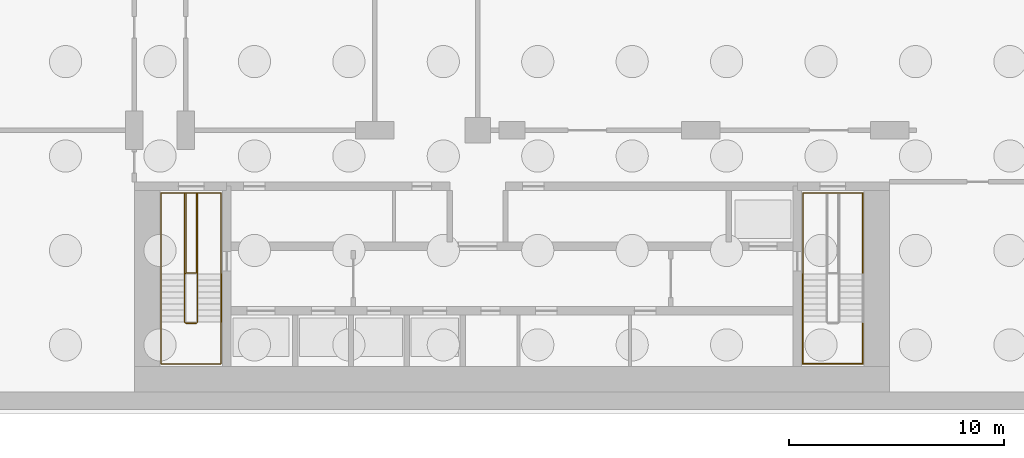
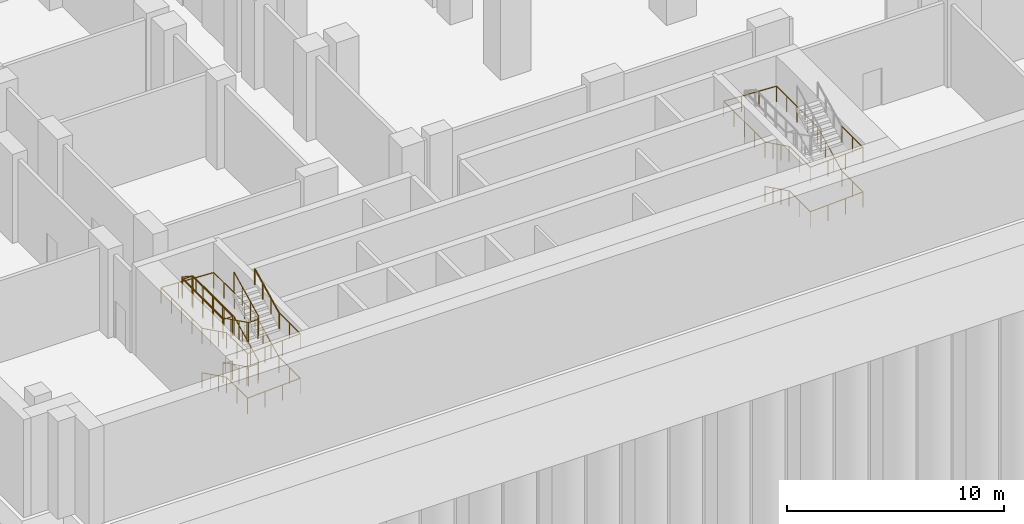
# One storey, part 10 of 14: 6 railings.
"""IFC4 building model written with IfcOpenShell, lengths in metres."""

from ifc_helpers import new_model, si_unit, direction, frame, origin, origin_2d, place, context, subcontext, project, spatial, circle, extrude, material, type_object, element, save


model = new_model("IFC4")

# Units and contexts
model_context = context("Model", 3, precision=1e-05, world=origin(), true_north=direction((0.0, 1.0)))
body_context = subcontext(model_context, "Body", "Model", "MODEL_VIEW")
ifc_project = project(units=[si_unit("LENGTHUNIT", "METRE"), si_unit("AREAUNIT", "SQUARE_METRE"), si_unit("VOLUMEUNIT", "CUBIC_METRE"), si_unit("PLANEANGLEUNIT", "RADIAN"), si_unit("MASSUNIT", "GRAM", prefix="KILO")], contexts=[model_context])

# Site, building, storey
site_placement = place(None, origin())
site = spatial("IfcSite", under=ifc_project, at=site_placement, CompositionType="ELEMENT")
building_placement = place(site_placement, origin())
building = spatial("IfcBuilding", under=site, at=building_placement, Name="Kemantara Hotel Tower", CompositionType="ELEMENT")
storey_placement = place(building_placement, frame((0.0, 0.0, -17.0)))
storey = spatial("IfcBuildingStorey", under=building, at=storey_placement, Name="B3", CompositionType="ELEMENT", Elevation=-17.0)

# Railings
ifc_material = material(Name="Stainless steel balustrade", Category="steel")
railing_type_1 = type_object("IfcRailingType", Name="Stair guard 1100 mm", PredefinedType="GUARDRAIL", material=ifc_material)
railing_1_placement = place(storey_placement, frame((12.75, 5.5, 5.0)))
element("IfcRailing", 1, at=railing_1_placement, inside=storey, type_object=railing_type_1, Name="B3 ST1 stair guard 1", PredefinedType="GUARDRAIL", context=body_context, shape_type="SweptSolid", body=[
    extrude(circle(Radius=0.02392578125, at=origin_2d()), frame((0.0, 0.0, 1.076171875), z_axis=(0.0, -0.895848192791, -0.444360231651), x_axis=(1.0, 0.0, 0.0)), (0.0, 0.0, 1.0), 2.50048828125),
    extrude(circle(Radius=0.02392578125, at=origin_2d()), frame((0.0, -2.239990234375, -0.03515625), z_axis=(-0.321014310373, -0.321014310373, -0.891010451718), x_axis=(0.707106781187, -0.707106781187, 0.0)), (0.0, 0.0, 1.0), 0.156005859375),
    extrude(circle(Radius=0.02392578125, at=origin_2d()), frame((-0.050048828125, -2.2900390625, -0.173828125), z_axis=(-1.0, 0.0, 0.0), x_axis=(0.0, -1.0, 0.0)), (0.0, 0.0, 1.0), 0.5),
    extrude(circle(Radius=0.02392578125, at=origin_2d()), frame((-0.550048828125, -2.2900390625, -0.173828125), z_axis=(-0.707106781187, 0.707106781187, 0.0), x_axis=(-0.707106781187, -0.707106781187, 0.0)), (0.0, 0.0, 1.0), 0.07080078125),
    extrude(circle(Radius=0.02392578125, at=origin_2d()), frame((-0.60009765625, -2.239990234375, -0.173828125), z_axis=(0.0, 0.895848192791, -0.444360231651), x_axis=(-1.0, 0.0, 0.0)), (0.0, 0.0, 1.0), 2.50048828125),
    extrude(circle(Radius=0.02392578125, at=origin_2d()), frame((-0.60009765625, 0.0, -1.28515625), z_axis=(0.0, 1.0, 0.0), x_axis=(-1.0, 0.0, 0.0)), (0.0, 0.0, 1.0), 3.780029296875),
    extrude(circle(Radius=0.02392578125, at=origin_2d()), frame((-0.60009765625, 3.780029296875, -1.28515625), z_axis=(0.969557479204, 0.0, -0.244863828525), x_axis=(0.0, 1.0, 0.0)), (0.0, 0.0, 1.0), 0.5673828125),
    extrude(circle(Radius=0.02392578125, at=origin_2d()), frame((-0.050048828125, 3.780029296875, -1.423828125), z_axis=(0.0, -1.0, 0.0), x_axis=(1.0, 0.0, 0.0)), (0.0, 0.0, 1.0), 3.72998046875),
    extrude(circle(Radius=0.02392578125, at=origin_2d()), frame((-0.050048828125, 0.050048828125, -1.423828125), z_axis=(-1.0, 0.0, 0.0), x_axis=(0.0, -1.0, 0.0)), (0.0, 0.0, 1.0), 0.5),
    extrude(circle(Radius=0.02392578125, at=origin_2d()), frame((-0.550048828125, 0.050048828125, -1.423828125), z_axis=(0.0, 1.0, 0.0), x_axis=(-1.0, 0.0, 0.0)), (0.0, 0.0, 1.0), 3.72998046875),
    extrude(circle(Radius=0.02392578125, at=origin_2d()), frame((-0.550048828125, 3.780029296875, -1.423828125), z_axis=(1.0, 0.0, 0.0), x_axis=(0.0, 1.0, 0.0)), (0.0, 0.0, 1.0), 0.550048828125),
    extrude(circle(Radius=0.02392578125, at=origin_2d()), frame((0.0, 3.780029296875, -1.423828125), z_axis=(0.0, -1.0, 0.0), x_axis=(1.0, 0.0, 0.0)), (0.0, 0.0, 1.0), 3.780029296875),
    extrude(circle(Radius=0.02392578125, at=origin_2d()), frame((0.0, 0.0, -1.423828125), z_axis=(0.0, -0.895848192791, -0.444360231651), x_axis=(1.0, 0.0, 0.0)), (0.0, 0.0, 1.0), 2.50048828125),
    extrude(circle(Radius=0.02392578125, at=origin_2d()), frame((0.0, -2.239990234375, -2.53515625), z_axis=(-0.321014310373, -0.321014310373, -0.891010451718), x_axis=(0.707106781187, -0.707106781187, 0.0)), (0.0, 0.0, 1.0), 0.156005859375),
    extrude(circle(Radius=0.02392578125, at=origin_2d()), frame((-0.050048828125, -2.2900390625, -2.673828125), z_axis=(-1.0, 0.0, 0.0), x_axis=(0.0, -1.0, 0.0)), (0.0, 0.0, 1.0), 0.5),
    extrude(circle(Radius=0.02392578125, at=origin_2d()), frame((-0.550048828125, -2.2900390625, -2.673828125), z_axis=(-0.707106781187, 0.707106781187, 0.0), x_axis=(-0.707106781187, -0.707106781187, 0.0)), (0.0, 0.0, 1.0), 0.07080078125),
    extrude(circle(Radius=0.02392578125, at=origin_2d()), frame((-0.60009765625, -2.239990234375, -2.673828125), z_axis=(0.0, 0.895848192791, -0.444360231651), x_axis=(-1.0, 0.0, 0.0)), (0.0, 0.0, 1.0), 2.50048828125),
    extrude(circle(Radius=0.02392578125, at=origin_2d()), frame((-0.60009765625, 0.0, -3.78515625), z_axis=(0.321014310373, 0.321014310373, -0.891010451718), x_axis=(-0.707106781187, 0.707106781187, 0.0)), (0.0, 0.0, 1.0), 0.156005859375),
    extrude(circle(Radius=0.02392578125, at=origin_2d()), frame((-0.550048828125, 0.050048828125, -3.923828125), z_axis=(1.0, 0.0, 0.0), x_axis=(0.0, 1.0, 0.0)), (0.0, 0.0, 1.0), 0.5),
    extrude(circle(Radius=0.02099609375, at=origin_2d()), origin(), (0.0, 0.0, 1.0), 1.052001953125),
    extrude(circle(Radius=0.02099609375, at=origin_2d()), frame((0.0, -0.74658203125, -0.370361328125)), (0.0, 0.0, 1.0), 1.052001953125),
    extrude(circle(Radius=0.02099609375, at=origin_2d()), frame((0.0, -1.493408203125, -0.74072265625)), (0.0, 0.0, 1.0), 1.052001953125),
    extrude(circle(Radius=0.02099609375, at=origin_2d()), frame((0.0, -2.239990234375, -1.111083984375)), (0.0, 0.0, 1.0), 1.052001953125),
    extrude(circle(Radius=0.02099609375, at=origin_2d()), frame((-0.050048828125, -2.2900390625, -1.25)), (0.0, 0.0, 1.0), 1.052001953125),
    extrude(circle(Radius=0.02099609375, at=origin_2d()), frame((-0.550048828125, -2.2900390625, -1.25)), (0.0, 0.0, 1.0), 1.052001953125),
    extrude(circle(Radius=0.02099609375, at=origin_2d()), frame((-0.60009765625, -2.239990234375, -1.25)), (0.0, 0.0, 1.0), 1.052001953125),
    extrude(circle(Radius=0.02099609375, at=origin_2d()), frame((-0.60009765625, -1.493408203125, -1.620361328125)), (0.0, 0.0, 1.0), 1.052001953125),
    extrude(circle(Radius=0.02099609375, at=origin_2d()), frame((-0.60009765625, -0.74658203125, -1.99072265625)), (0.0, 0.0, 1.0), 1.052001953125),
    extrude(circle(Radius=0.02099609375, at=origin_2d()), frame((-0.60009765625, 0.0, -2.361083984375)), (0.0, 0.0, 1.0), 1.052001953125),
    extrude(circle(Radius=0.02099609375, at=origin_2d()), frame((-0.60009765625, 0.945068359375, -2.361083984375)), (0.0, 0.0, 1.0), 1.052001953125),
    extrude(circle(Radius=0.02099609375, at=origin_2d()), frame((-0.60009765625, 1.89013671875, -2.361083984375)), (0.0, 0.0, 1.0), 1.052001953125),
    extrude(circle(Radius=0.02099609375, at=origin_2d()), frame((-0.60009765625, 2.8349609375, -2.361083984375)), (0.0, 0.0, 1.0), 1.052001953125),
    extrude(circle(Radius=0.02099609375, at=origin_2d()), frame((-0.60009765625, 3.780029296875, -2.361083984375)), (0.0, 0.0, 1.0), 1.052001953125),
    extrude(circle(Radius=0.02099609375, at=origin_2d()), frame((-0.050048828125, 3.780029296875, -2.5)), (0.0, 0.0, 1.0), 1.052001953125),
    extrude(circle(Radius=0.02099609375, at=origin_2d()), frame((-0.050048828125, 2.84765625, -2.5)), (0.0, 0.0, 1.0), 1.052001953125),
    extrude(circle(Radius=0.02099609375, at=origin_2d()), frame((-0.050048828125, 1.9150390625, -2.5)), (0.0, 0.0, 1.0), 1.052001953125),
    extrude(circle(Radius=0.02099609375, at=origin_2d()), frame((-0.050048828125, 0.982421875, -2.5)), (0.0, 0.0, 1.0), 1.052001953125),
    extrude(circle(Radius=0.02099609375, at=origin_2d()), frame((-0.050048828125, 0.050048828125, -2.5)), (0.0, 0.0, 1.0), 1.052001953125),
    extrude(circle(Radius=0.02099609375, at=origin_2d()), frame((-0.550048828125, 0.050048828125, -2.5)), (0.0, 0.0, 1.0), 1.052001953125),
    extrude(circle(Radius=0.02099609375, at=origin_2d()), frame((-0.550048828125, 0.982421875, -2.5)), (0.0, 0.0, 1.0), 1.052001953125),
    extrude(circle(Radius=0.02099609375, at=origin_2d()), frame((-0.550048828125, 1.9150390625, -2.5)), (0.0, 0.0, 1.0), 1.052001953125),
    extrude(circle(Radius=0.02099609375, at=origin_2d()), frame((-0.550048828125, 2.84765625, -2.5)), (0.0, 0.0, 1.0), 1.052001953125),
    extrude(circle(Radius=0.02099609375, at=origin_2d()), frame((-0.550048828125, 3.780029296875, -2.5)), (0.0, 0.0, 1.0), 1.052001953125),
    extrude(circle(Radius=0.02099609375, at=origin_2d()), frame((0.0, 3.780029296875, -2.5)), (0.0, 0.0, 1.0), 1.052001953125),
    extrude(circle(Radius=0.02099609375, at=origin_2d()), frame((0.0, 2.8349609375, -2.5)), (0.0, 0.0, 1.0), 1.052001953125),
    extrude(circle(Radius=0.02099609375, at=origin_2d()), frame((0.0, 1.89013671875, -2.5)), (0.0, 0.0, 1.0), 1.052001953125),
    extrude(circle(Radius=0.02099609375, at=origin_2d()), frame((0.0, 0.945068359375, -2.5)), (0.0, 0.0, 1.0), 1.052001953125),
    extrude(circle(Radius=0.02099609375, at=origin_2d()), frame((0.0, 0.0, -2.5)), (0.0, 0.0, 1.0), 1.052001953125),
    extrude(circle(Radius=0.02099609375, at=origin_2d()), frame((0.0, -0.74658203125, -2.870361328125)), (0.0, 0.0, 1.0), 1.052001953125),
    extrude(circle(Radius=0.02099609375, at=origin_2d()), frame((0.0, -1.493408203125, -3.24072265625)), (0.0, 0.0, 1.0), 1.052001953125),
    extrude(circle(Radius=0.02099609375, at=origin_2d()), frame((0.0, -2.239990234375, -3.611083984375)), (0.0, 0.0, 1.0), 1.052001953125),
    extrude(circle(Radius=0.02099609375, at=origin_2d()), frame((-0.050048828125, -2.2900390625, -3.75)), (0.0, 0.0, 1.0), 1.052001953125),
    extrude(circle(Radius=0.02099609375, at=origin_2d()), frame((-0.550048828125, -2.2900390625, -3.75)), (0.0, 0.0, 1.0), 1.052001953125),
    extrude(circle(Radius=0.02099609375, at=origin_2d()), frame((-0.60009765625, -2.239990234375, -3.75)), (0.0, 0.0, 1.0), 1.052001953125),
    extrude(circle(Radius=0.02099609375, at=origin_2d()), frame((-0.60009765625, -1.493408203125, -4.120361328125)), (0.0, 0.0, 1.0), 1.052001953125),
    extrude(circle(Radius=0.02099609375, at=origin_2d()), frame((-0.60009765625, -0.74658203125, -4.49072265625)), (0.0, 0.0, 1.0), 1.052001953125),
    extrude(circle(Radius=0.02099609375, at=origin_2d()), frame((-0.60009765625, 0.0, -4.861083984375)), (0.0, 0.0, 1.0), 1.052001953125),
    extrude(circle(Radius=0.02099609375, at=origin_2d()), frame((-0.550048828125, 0.050048828125, -5.0)), (0.0, 0.0, 1.0), 1.052001953125),
    extrude(circle(Radius=0.02099609375, at=origin_2d()), frame((-0.050048828125, 0.050048828125, -5.0)), (0.0, 0.0, 1.0), 1.052001953125),
])
railing_type_2 = type_object("IfcRailingType", Name="Stair handrail 900 mm", PredefinedType="HANDRAIL", material=ifc_material)
railing_2_placement = place(storey_placement, frame((11.050048828125, 5.5, 0.138916015625)))
element("IfcRailing", 2, at=railing_2_placement, inside=storey, type_object=railing_type_2, Name="B3 ST1 stair handrail 1", PredefinedType="HANDRAIL", context=body_context, shape_type="SweptSolid", body=[
    extrude(circle(Radius=0.02392578125, at=origin_2d()), frame((0.0, 0.0, 0.8759765625), z_axis=(0.0, -0.895848192791, 0.444360231651), x_axis=(1.0, 0.0, 0.0)), (0.0, 0.0, 1.0), 2.50048828125),
    extrude(circle(Radius=0.02392578125, at=origin_2d()), frame((0.0, -2.239990234375, 1.98681640625), z_axis=(0.0, -1.0, 0.0), x_axis=(1.0, 0.0, 0.0)), (0.0, 0.0, 1.0), 1.93994140625),
    extrude(circle(Radius=0.02392578125, at=origin_2d()), frame((0.0, -4.179931640625, 1.98681640625), z_axis=(0.998771592041, 0.0, 0.049551053786), x_axis=(0.0, 1.0, 0.0)), (0.0, 0.0, 1.0), 2.803466796875),
    extrude(circle(Radius=0.02392578125, at=origin_2d()), frame((2.800048828125, -4.179931640625, 2.1259765625), z_axis=(0.0, 1.0, 0.0), x_axis=(-1.0, 0.0, 0.0)), (0.0, 0.0, 1.0), 1.93994140625),
    extrude(circle(Radius=0.02392578125, at=origin_2d()), frame((2.800048828125, -2.239990234375, 2.1259765625), z_axis=(0.0, 0.895848192791, 0.444360231651), x_axis=(-1.0, 0.0, 0.0)), (0.0, 0.0, 1.0), 2.50048828125),
    extrude(circle(Radius=0.02099609375, at=origin_2d()), origin(), (0.0, 0.0, 1.0), 0.851806640625),
    extrude(circle(Radius=0.02099609375, at=origin_2d()), frame((0.0, -0.74658203125, 0.370361328125)), (0.0, 0.0, 1.0), 0.851806640625),
    extrude(circle(Radius=0.02099609375, at=origin_2d()), frame((0.0, -1.493408203125, 0.74072265625)), (0.0, 0.0, 1.0), 0.851806640625),
    extrude(circle(Radius=0.02099609375, at=origin_2d()), frame((0.0, -2.239990234375, 1.111083984375)), (0.0, 0.0, 1.0), 0.851806640625),
    extrude(circle(Radius=0.02099609375, at=origin_2d()), frame((0.0, -3.2099609375, 1.111083984375)), (0.0, 0.0, 1.0), 0.851806640625),
    extrude(circle(Radius=0.02099609375, at=origin_2d()), frame((0.0, -4.179931640625, 1.111083984375)), (0.0, 0.0, 1.0), 0.851806640625),
    extrude(circle(Radius=0.02099609375, at=origin_2d()), frame((0.933349609375, -4.179931640625, 1.157470703125)), (0.0, 0.0, 1.0), 0.851806640625),
    extrude(circle(Radius=0.02099609375, at=origin_2d()), frame((1.86669921875, -4.179931640625, 1.20361328125)), (0.0, 0.0, 1.0), 0.851806640625),
    extrude(circle(Radius=0.02099609375, at=origin_2d()), frame((2.800048828125, -4.179931640625, 1.25)), (0.0, 0.0, 1.0), 0.851806640625),
    extrude(circle(Radius=0.02099609375, at=origin_2d()), frame((2.800048828125, -3.2099609375, 1.25)), (0.0, 0.0, 1.0), 0.851806640625),
    extrude(circle(Radius=0.02099609375, at=origin_2d()), frame((2.800048828125, -2.239990234375, 1.25)), (0.0, 0.0, 1.0), 0.851806640625),
    extrude(circle(Radius=0.02099609375, at=origin_2d()), frame((2.800048828125, -1.493408203125, 1.620361328125)), (0.0, 0.0, 1.0), 0.851806640625),
    extrude(circle(Radius=0.02099609375, at=origin_2d()), frame((2.800048828125, -0.74658203125, 1.99072265625)), (0.0, 0.0, 1.0), 0.851806640625),
    extrude(circle(Radius=0.02099609375, at=origin_2d()), frame((2.800048828125, 0.0, 2.361083984375)), (0.0, 0.0, 1.0), 0.851806640625),
])
railing_3_placement = place(storey_placement, frame((13.85009765625, 5.5, 2.5)))
element("IfcRailing", 3, at=railing_3_placement, inside=storey, type_object=railing_type_2, Name="B3 ST1 stair handrail 2", PredefinedType="HANDRAIL", context=body_context, shape_type="SweptSolid", body=[
    extrude(circle(Radius=0.02392578125, at=origin_2d()), frame((0.0, 0.0, 0.8759765625), z_axis=(0.0, 1.0, 0.0), x_axis=(-1.0, 0.0, 0.0)), (0.0, 0.0, 1.0), 3.780029296875),
    extrude(circle(Radius=0.02392578125, at=origin_2d()), frame((0.0, 3.780029296875, 0.8759765625), z_axis=(-0.998771592041, 0.0, 0.049551053786), x_axis=(0.0, -1.0, 0.0)), (0.0, 0.0, 1.0), 2.803466796875),
    extrude(circle(Radius=0.02392578125, at=origin_2d()), frame((-2.800048828125, 3.780029296875, 1.0146484375), z_axis=(0.0, -1.0, 0.0), x_axis=(1.0, 0.0, 0.0)), (0.0, 0.0, 1.0), 3.780029296875),
    extrude(circle(Radius=0.02392578125, at=origin_2d()), frame((-2.800048828125, 0.0, 1.0146484375), z_axis=(0.0, -0.895848192791, 0.444360231651), x_axis=(1.0, 0.0, 0.0)), (0.0, 0.0, 1.0), 2.50048828125),
    extrude(circle(Radius=0.02392578125, at=origin_2d()), frame((-2.800048828125, -2.239990234375, 2.1259765625), z_axis=(0.0, -1.0, 0.0), x_axis=(1.0, 0.0, 0.0)), (0.0, 0.0, 1.0), 1.93994140625),
    extrude(circle(Radius=0.02392578125, at=origin_2d()), frame((-2.800048828125, -4.179931640625, 2.1259765625), z_axis=(0.998771592041, 0.0, 0.049551053786), x_axis=(0.0, 1.0, 0.0)), (0.0, 0.0, 1.0), 2.803466796875),
    extrude(circle(Radius=0.02392578125, at=origin_2d()), frame((0.0, -4.179931640625, 2.2646484375), z_axis=(0.0, 1.0, 0.0), x_axis=(-1.0, 0.0, 0.0)), (0.0, 0.0, 1.0), 1.93994140625),
    extrude(circle(Radius=0.02099609375, at=origin_2d()), origin(), (0.0, 0.0, 1.0), 0.851806640625),
    extrude(circle(Radius=0.02099609375, at=origin_2d()), frame((0.0, 0.945068359375, 0.0)), (0.0, 0.0, 1.0), 0.851806640625),
    extrude(circle(Radius=0.02099609375, at=origin_2d()), frame((0.0, 1.89013671875, 0.0)), (0.0, 0.0, 1.0), 0.851806640625),
    extrude(circle(Radius=0.02099609375, at=origin_2d()), frame((0.0, 2.8349609375, 0.0)), (0.0, 0.0, 1.0), 0.851806640625),
    extrude(circle(Radius=0.02099609375, at=origin_2d()), frame((0.0, 3.780029296875, 0.0)), (0.0, 0.0, 1.0), 0.851806640625),
    extrude(circle(Radius=0.02099609375, at=origin_2d()), frame((-0.933349609375, 3.780029296875, 0.04638671875)), (0.0, 0.0, 1.0), 0.851806640625),
    extrude(circle(Radius=0.02099609375, at=origin_2d()), frame((-1.86669921875, 3.780029296875, 0.092529296875)), (0.0, 0.0, 1.0), 0.851806640625),
    extrude(circle(Radius=0.02099609375, at=origin_2d()), frame((-2.800048828125, 3.780029296875, 0.138916015625)), (0.0, 0.0, 1.0), 0.851806640625),
    extrude(circle(Radius=0.02099609375, at=origin_2d()), frame((-2.800048828125, 2.8349609375, 0.138916015625)), (0.0, 0.0, 1.0), 0.851806640625),
    extrude(circle(Radius=0.02099609375, at=origin_2d()), frame((-2.800048828125, 1.89013671875, 0.138916015625)), (0.0, 0.0, 1.0), 0.851806640625),
    extrude(circle(Radius=0.02099609375, at=origin_2d()), frame((-2.800048828125, 0.945068359375, 0.138916015625)), (0.0, 0.0, 1.0), 0.851806640625),
    extrude(circle(Radius=0.02099609375, at=origin_2d()), frame((-2.800048828125, 0.0, 0.138916015625)), (0.0, 0.0, 1.0), 0.851806640625),
    extrude(circle(Radius=0.02099609375, at=origin_2d()), frame((-2.800048828125, -0.74658203125, 0.50927734375)), (0.0, 0.0, 1.0), 0.851806640625),
    extrude(circle(Radius=0.02099609375, at=origin_2d()), frame((-2.800048828125, -1.493408203125, 0.879638671875)), (0.0, 0.0, 1.0), 0.851806640625),
    extrude(circle(Radius=0.02099609375, at=origin_2d()), frame((-2.800048828125, -2.239990234375, 1.25)), (0.0, 0.0, 1.0), 0.851806640625),
    extrude(circle(Radius=0.02099609375, at=origin_2d()), frame((-2.800048828125, -3.2099609375, 1.25)), (0.0, 0.0, 1.0), 0.851806640625),
    extrude(circle(Radius=0.02099609375, at=origin_2d()), frame((-2.800048828125, -4.179931640625, 1.25)), (0.0, 0.0, 1.0), 0.851806640625),
    extrude(circle(Radius=0.02099609375, at=origin_2d()), frame((-1.86669921875, -4.179931640625, 1.29638671875)), (0.0, 0.0, 1.0), 0.851806640625),
    extrude(circle(Radius=0.02099609375, at=origin_2d()), frame((-0.933349609375, -4.179931640625, 1.342529296875)), (0.0, 0.0, 1.0), 0.851806640625),
    extrude(circle(Radius=0.02099609375, at=origin_2d()), frame((0.0, -4.179931640625, 1.388916015625)), (0.0, 0.0, 1.0), 0.851806640625),
    extrude(circle(Radius=0.02099609375, at=origin_2d()), frame((0.0, -3.2099609375, 1.388916015625)), (0.0, 0.0, 1.0), 0.851806640625),
    extrude(circle(Radius=0.02099609375, at=origin_2d()), frame((0.0, -2.239990234375, 1.388916015625)), (0.0, 0.0, 1.0), 0.851806640625),
])
railing_4_placement = place(storey_placement, frame((13.85009765625, 3.260009765625, 3.888916015625)))
element("IfcRailing", 4, at=railing_4_placement, inside=storey, type_object=railing_type_2, Name="B3 ST1 stair handrail 3", PredefinedType="HANDRAIL", context=body_context, shape_type="SweptSolid", body=[
    extrude(circle(Radius=0.02392578125, at=origin_2d()), frame((0.0, 0.0, 0.8759765625), z_axis=(0.0, 0.895848192791, 0.444360231651), x_axis=(-1.0, 0.0, 0.0)), (0.0, 0.0, 1.0), 2.50048828125),
    extrude(circle(Radius=0.02099609375, at=origin_2d()), origin(), (0.0, 0.0, 1.0), 0.851806640625),
    extrude(circle(Radius=0.02099609375, at=origin_2d()), frame((0.0, 0.74658203125, 0.370361328125)), (0.0, 0.0, 1.0), 0.851806640625),
    extrude(circle(Radius=0.02099609375, at=origin_2d()), frame((0.0, 1.493408203125, 0.74072265625)), (0.0, 0.0, 1.0), 0.851806640625),
    extrude(circle(Radius=0.02099609375, at=origin_2d()), frame((0.0, 2.239990234375, 1.111083984375)), (0.0, 0.0, 1.0), 0.851806640625),
])
railing_5_placement = place(storey_placement, frame((40.949951171875, 5.5, 0.138916015625)))
element("IfcRailing", 5, at=railing_5_placement, inside=storey, type_object=railing_type_2, Name="B3 ST2 stair handrail 1", PredefinedType="HANDRAIL", context=body_context, shape_type="SweptSolid", body=[
    extrude(circle(Radius=0.02392578125, at=origin_2d()), frame((0.0, 0.0, 0.8759765625), z_axis=(0.0, -0.895848192791, 0.444360231651), x_axis=(1.0, 0.0, 0.0)), (0.0, 0.0, 1.0), 2.50048828125),
    extrude(circle(Radius=0.02392578125, at=origin_2d()), frame((0.0, -2.239990234375, 1.98681640625), z_axis=(0.0, -1.0, 0.0), x_axis=(1.0, 0.0, 0.0)), (0.0, 0.0, 1.0), 1.93994140625),
    extrude(circle(Radius=0.02392578125, at=origin_2d()), frame((0.0, -4.179931640625, 1.98681640625), z_axis=(0.998771592041, 0.0, 0.049551053786), x_axis=(0.0, 1.0, 0.0)), (0.0, 0.0, 1.0), 2.803466796875),
    extrude(circle(Radius=0.02392578125, at=origin_2d()), frame((2.800048828125, -4.179931640625, 2.1259765625), z_axis=(0.0, 1.0, 0.0), x_axis=(-1.0, 0.0, 0.0)), (0.0, 0.0, 1.0), 1.93994140625),
    extrude(circle(Radius=0.02392578125, at=origin_2d()), frame((2.800048828125, -2.239990234375, 2.1259765625), z_axis=(0.0, 0.895848192791, 0.444360231651), x_axis=(-1.0, 0.0, 0.0)), (0.0, 0.0, 1.0), 2.50048828125),
    extrude(circle(Radius=0.02392578125, at=origin_2d()), frame((2.800048828125, 0.0, 3.23681640625), z_axis=(0.0, 1.0, 0.0), x_axis=(-1.0, 0.0, 0.0)), (0.0, 0.0, 1.0), 3.780029296875),
    extrude(circle(Radius=0.02099609375, at=origin_2d()), origin(), (0.0, 0.0, 1.0), 0.851806640625),
    extrude(circle(Radius=0.02099609375, at=origin_2d()), frame((0.0, -0.74658203125, 0.370361328125)), (0.0, 0.0, 1.0), 0.851806640625),
    extrude(circle(Radius=0.02099609375, at=origin_2d()), frame((0.0, -1.493408203125, 0.74072265625)), (0.0, 0.0, 1.0), 0.851806640625),
    extrude(circle(Radius=0.02099609375, at=origin_2d()), frame((0.0, -2.239990234375, 1.111083984375)), (0.0, 0.0, 1.0), 0.851806640625),
    extrude(circle(Radius=0.02099609375, at=origin_2d()), frame((0.0, -3.2099609375, 1.111083984375)), (0.0, 0.0, 1.0), 0.851806640625),
    extrude(circle(Radius=0.02099609375, at=origin_2d()), frame((0.0, -4.179931640625, 1.111083984375)), (0.0, 0.0, 1.0), 0.851806640625),
    extrude(circle(Radius=0.02099609375, at=origin_2d()), frame((0.933349609375, -4.179931640625, 1.157470703125)), (0.0, 0.0, 1.0), 0.851806640625),
    extrude(circle(Radius=0.02099609375, at=origin_2d()), frame((1.86669921875, -4.179931640625, 1.20361328125)), (0.0, 0.0, 1.0), 0.851806640625),
    extrude(circle(Radius=0.02099609375, at=origin_2d()), frame((2.800048828125, -4.179931640625, 1.25)), (0.0, 0.0, 1.0), 0.851806640625),
    extrude(circle(Radius=0.02099609375, at=origin_2d()), frame((2.800048828125, -3.2099609375, 1.25)), (0.0, 0.0, 1.0), 0.851806640625),
    extrude(circle(Radius=0.02099609375, at=origin_2d()), frame((2.800048828125, -2.239990234375, 1.25)), (0.0, 0.0, 1.0), 0.851806640625),
    extrude(circle(Radius=0.02099609375, at=origin_2d()), frame((2.800048828125, -1.493408203125, 1.620361328125)), (0.0, 0.0, 1.0), 0.851806640625),
    extrude(circle(Radius=0.02099609375, at=origin_2d()), frame((2.800048828125, -0.74658203125, 1.99072265625)), (0.0, 0.0, 1.0), 0.851806640625),
    extrude(circle(Radius=0.02099609375, at=origin_2d()), frame((2.800048828125, 0.0, 2.361083984375)), (0.0, 0.0, 1.0), 0.851806640625),
    extrude(circle(Radius=0.02099609375, at=origin_2d()), frame((2.800048828125, 0.945068359375, 2.361083984375)), (0.0, 0.0, 1.0), 0.851806640625),
    extrude(circle(Radius=0.02099609375, at=origin_2d()), frame((2.800048828125, 1.89013671875, 2.361083984375)), (0.0, 0.0, 1.0), 0.851806640625),
    extrude(circle(Radius=0.02099609375, at=origin_2d()), frame((2.800048828125, 2.8349609375, 2.361083984375)), (0.0, 0.0, 1.0), 0.851806640625),
    extrude(circle(Radius=0.02099609375, at=origin_2d()), frame((2.800048828125, 3.780029296875, 2.361083984375)), (0.0, 0.0, 1.0), 0.851806640625),
])
railing_6_placement = place(storey_placement, frame((43.75, 9.280029296875, 2.5)))
element("IfcRailing", 6, at=railing_6_placement, inside=storey, type_object=railing_type_2, Name="B3 ST2 stair handrail 2", PredefinedType="HANDRAIL", context=body_context, shape_type="SweptSolid", body=[
    extrude(circle(Radius=0.02392578125, at=origin_2d()), frame((0.0, 0.0, 0.8759765625), z_axis=(-0.998771592041, 0.0, 0.049551053786), x_axis=(0.0, -1.0, 0.0)), (0.0, 0.0, 1.0), 2.803466796875),
    extrude(circle(Radius=0.02392578125, at=origin_2d()), frame((-2.800048828125, 0.0, 1.0146484375), z_axis=(0.0, -1.0, 0.0), x_axis=(1.0, 0.0, 0.0)), (0.0, 0.0, 1.0), 3.780029296875),
    extrude(circle(Radius=0.02392578125, at=origin_2d()), frame((-2.800048828125, -3.780029296875, 1.0146484375), z_axis=(0.0, -0.895848192791, 0.444360231651), x_axis=(1.0, 0.0, 0.0)), (0.0, 0.0, 1.0), 2.50048828125),
    extrude(circle(Radius=0.02392578125, at=origin_2d()), frame((-2.800048828125, -6.02001953125, 2.1259765625), z_axis=(0.0, -1.0, 0.0), x_axis=(1.0, 0.0, 0.0)), (0.0, 0.0, 1.0), 1.93994140625),
    extrude(circle(Radius=0.02392578125, at=origin_2d()), frame((-2.800048828125, -7.9599609375, 2.1259765625), z_axis=(0.998771592041, 0.0, 0.049551053786), x_axis=(0.0, 1.0, 0.0)), (0.0, 0.0, 1.0), 2.803466796875),
    extrude(circle(Radius=0.02392578125, at=origin_2d()), frame((0.0, -7.9599609375, 2.2646484375), z_axis=(0.0, 1.0, 0.0), x_axis=(-1.0, 0.0, 0.0)), (0.0, 0.0, 1.0), 1.93994140625),
    extrude(circle(Radius=0.02099609375, at=origin_2d()), origin(), (0.0, 0.0, 1.0), 0.851806640625),
    extrude(circle(Radius=0.02099609375, at=origin_2d()), frame((-0.933349609375, 0.0, 0.04638671875)), (0.0, 0.0, 1.0), 0.851806640625),
    extrude(circle(Radius=0.02099609375, at=origin_2d()), frame((-1.86669921875, 0.0, 0.092529296875)), (0.0, 0.0, 1.0), 0.851806640625),
    extrude(circle(Radius=0.02099609375, at=origin_2d()), frame((-2.800048828125, 0.0, 0.138916015625)), (0.0, 0.0, 1.0), 0.851806640625),
    extrude(circle(Radius=0.02099609375, at=origin_2d()), frame((-2.800048828125, -0.945068359375, 0.138916015625)), (0.0, 0.0, 1.0), 0.851806640625),
    extrude(circle(Radius=0.02099609375, at=origin_2d()), frame((-2.800048828125, -1.89013671875, 0.138916015625)), (0.0, 0.0, 1.0), 0.851806640625),
    extrude(circle(Radius=0.02099609375, at=origin_2d()), frame((-2.800048828125, -2.8349609375, 0.138916015625)), (0.0, 0.0, 1.0), 0.851806640625),
    extrude(circle(Radius=0.02099609375, at=origin_2d()), frame((-2.800048828125, -3.780029296875, 0.138916015625)), (0.0, 0.0, 1.0), 0.851806640625),
    extrude(circle(Radius=0.02099609375, at=origin_2d()), frame((-2.800048828125, -4.526611328125, 0.50927734375)), (0.0, 0.0, 1.0), 0.851806640625),
    extrude(circle(Radius=0.02099609375, at=origin_2d()), frame((-2.800048828125, -5.2734375, 0.879638671875)), (0.0, 0.0, 1.0), 0.851806640625),
    extrude(circle(Radius=0.02099609375, at=origin_2d()), frame((-2.800048828125, -6.02001953125, 1.25)), (0.0, 0.0, 1.0), 0.851806640625),
    extrude(circle(Radius=0.02099609375, at=origin_2d()), frame((-2.800048828125, -6.989990234375, 1.25)), (0.0, 0.0, 1.0), 0.851806640625),
    extrude(circle(Radius=0.02099609375, at=origin_2d()), frame((-2.800048828125, -7.9599609375, 1.25)), (0.0, 0.0, 1.0), 0.851806640625),
    extrude(circle(Radius=0.02099609375, at=origin_2d()), frame((-1.86669921875, -7.9599609375, 1.29638671875)), (0.0, 0.0, 1.0), 0.851806640625),
    extrude(circle(Radius=0.02099609375, at=origin_2d()), frame((-0.933349609375, -7.9599609375, 1.342529296875)), (0.0, 0.0, 1.0), 0.851806640625),
    extrude(circle(Radius=0.02099609375, at=origin_2d()), frame((0.0, -7.9599609375, 1.388916015625)), (0.0, 0.0, 1.0), 0.851806640625),
    extrude(circle(Radius=0.02099609375, at=origin_2d()), frame((0.0, -6.989990234375, 1.388916015625)), (0.0, 0.0, 1.0), 0.851806640625),
    extrude(circle(Radius=0.02099609375, at=origin_2d()), frame((0.0, -6.02001953125, 1.388916015625)), (0.0, 0.0, 1.0), 0.851806640625),
])

save(model, "model.ifc")
